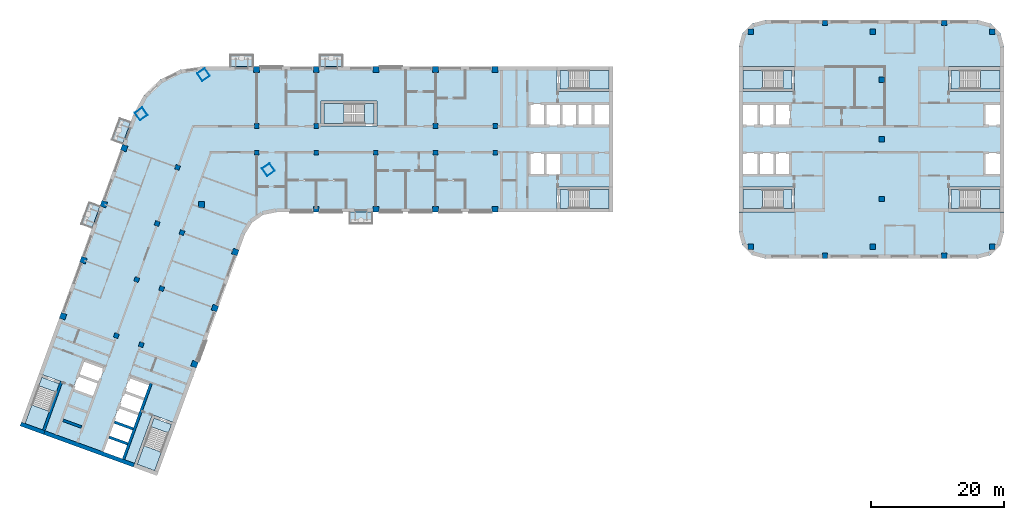
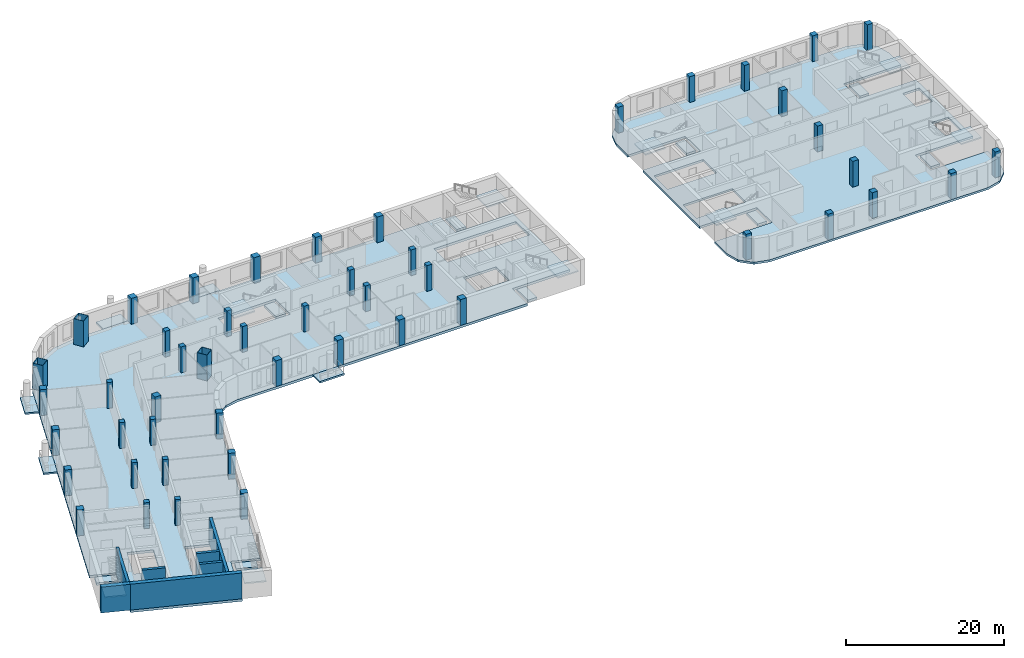
# One storey, part 1 of 15: 49 columns, 25 slabs, 7 walls, 9 elements without a shape of their own.
"""IFC4 building model written with IfcOpenShell, lengths in metres."""

from ifc_helpers import new_model, si_unit, direction, frame, frame_2d, origin, origin_2d, place, context, subcontext, project, spatial, polyline, rectangle, hollow_rectangle, outline, extrude, material, layer, layer_set, material_profile, profile_set, type_object, element, aggregate, save


model = new_model("IFC4")

# Units and contexts
model_context = context("Model", 3, precision=1e-05, world=origin(), true_north=direction((0.0, 1.0)))
body_context = subcontext(model_context, "Body", "Model", "MODEL_VIEW")
ifc_project = project(units=[si_unit("LENGTHUNIT", "METRE"), si_unit("AREAUNIT", "SQUARE_METRE"), si_unit("VOLUMEUNIT", "CUBIC_METRE"), si_unit("PLANEANGLEUNIT", "RADIAN"), si_unit("MASSUNIT", "GRAM", prefix="KILO")], contexts=[model_context])

# Site, building, storey
site_placement = place(None, origin())
site = spatial("IfcSite", under=ifc_project, at=site_placement, CompositionType="ELEMENT")
building_placement = place(site_placement, origin())
building = spatial("IfcBuilding", under=site, at=building_placement, Name="Skarvind Civic Tower", CompositionType="ELEMENT")
storey_placement = place(building_placement, frame((0.0, 0.0, 55.5)))
storey = spatial("IfcBuildingStorey", under=building, at=storey_placement, Name="L12", CompositionType="ELEMENT", Elevation=55.5)

# Columns
ifc_material_1 = material(Name="Concrete C60", Category="concrete")
ifc_material_profile_1 = material_profile(ifc_material_1, rectangle(XDim=0.699951171875, YDim=0.699951171875, at=origin_2d()), Name="RC-700x700")
ifc_profile_set_1 = profile_set([ifc_material_profile_1], Name="Concrete C60")
column_type_1 = type_object("IfcColumnType", Name="Column RC-700x700 C60", PredefinedType="COLUMN", material=ifc_profile_set_1)
for number, where, z_axis, x_axis, name in (
    (1, (54.25, 130.0, 0.0), (0.0, 0.0, 1.0), (1.0, 0.0, 0.0), "Column wing 1 north inner 02 L12"),
    (2, (63.25, 130.0, 0.0), (0.0, 0.0, 1.0), (1.0, 0.0, 0.0), "Column wing 1 north inner 03 L12"),
    (3, (81.25, 130.0, 0.0), (0.0, 0.0, 1.0), (1.0, 0.0, 0.0), "Column wing 1 north inner 05 L12"),
    (4, (90.25, 130.0, 0.0), (0.0, 0.0, 1.0), (1.0, 0.0, 0.0), "Column wing 1 north inner 06 L12"),
    (5, (54.25, 126.0, 0.0), (0.0, 0.0, 1.0), (1.0, 0.0, 0.0), "Column wing 1 south inner 02 L12"),
    (6, (63.25, 126.0, 0.0), (0.0, 0.0, 1.0), (1.0, 0.0, 0.0), "Column wing 1 south inner 03 L12"),
    (7, (72.25, 126.0, 0.0), (0.0, 0.0, 1.0), (1.0, 0.0, 0.0), "Column wing 1 south inner 04 L12"),
    (8, (81.25, 126.0, 0.0), (0.0, 0.0, 1.0), (1.0, 0.0, 0.0), "Column wing 1 south inner 05 L12"),
    (9, (90.25, 126.0, 0.0), (0.0, 0.0, 1.0), (1.0, 0.0, 0.0), "Column wing 1 south inner 06 L12"),
    (10, (43.005615234375, 113.92529296875, 0.0), (0.0, 0.0, 1.0), (-0.342020143326, -0.939692620786, 0.0), "Column wing 2 left inner 02 L12"),
    (11, (39.927490234375, 105.468017578125, 0.0), (0.0, 0.0, 1.0), (-0.342020143326, -0.939692620786, 0.0), "Column wing 2 left inner 03 L12"),
    (12, (36.84912109375, 97.010986328125, 0.0), (0.0, 0.0, 1.0), (-0.342020143326, -0.939692620786, 0.0), "Column wing 2 left inner 04 L12"),
    (13, (42.324951171875, 123.750732421875, 0.0), (0.0, 0.0, 1.0), (-0.342020143326, -0.939692620786, 0.0), "Column wing 2 right inner 01 L12"),
    (14, (39.246826171875, 115.29345703125, 0.0), (0.0, 0.0, 1.0), (-0.342020143326, -0.939692620786, 0.0), "Column wing 2 right inner 02 L12"),
    (15, (36.168701171875, 106.836181640625, 0.0), (0.0, 0.0, 1.0), (-0.342020143326, -0.939692620786, 0.0), "Column wing 2 right inner 03 L12"),
    (16, (33.090576171875, 98.37890625, 0.0), (0.0, 0.0, 1.0), (-0.342020143326, -0.939692620786, 0.0), "Column wing 2 right inner 04 L12"),
):
    element("IfcColumn", number, at=place(storey_placement, frame(where, z_axis=z_axis, x_axis=x_axis)), inside=storey, type_object=column_type_1, Name=name, PredefinedType="COLUMN", context=body_context, shape_type="SweptSolid", body=[
        extrude(rectangle(XDim=0.699951171875, YDim=0.699951171875, at=origin_2d()), origin(), (0.0, 0.0, 1.0), 4.0),
    ])
ifc_material_profile_2 = material_profile(ifc_material_1, rectangle(XDim=0.800048828125, YDim=0.800048828125, at=origin_2d()), Name="RC-800x800")
ifc_profile_set_2 = profile_set([ifc_material_profile_2], Name="Concrete C60")
column_type_2 = type_object("IfcColumnType", Name="Column RC-800x800 C60", PredefinedType="COLUMN", material=ifc_profile_set_2)
for number, where, z_axis, x_axis, name in (
    (17, (128.777099609375, 144.222900390625, 0.0), (0.0, 0.0, 1.0), (1.0, 0.0, 0.0), "Column second tower north-west corner L12"),
    (18, (128.777099609375, 111.777099609375, 0.0), (0.0, 0.0, 1.0), (1.0, 0.0, 0.0), "Column second tower south-west corner L12"),
    (19, (148.550048828125, 119.0, 0.0), (0.0, 0.0, 1.0), (1.0, 0.0, 0.0), "Column second tower middle line 01 L12"),
    (20, (148.550048828125, 128.0, 0.0), (0.0, 0.0, 1.0), (1.0, 0.0, 0.0), "Column second tower middle line 02 L12"),
    (21, (148.550048828125, 137.0, 0.0), (0.0, 0.0, 1.0), (1.0, 0.0, 0.0), "Column second tower middle line 03 L12"),
    (22, (140.0, 145.550048828125, 0.0), (0.0, 0.0, 1.0), (1.0, 0.0, 0.0), "Column second tower north perimeter 02 L12"),
    (23, (147.222900390625, 144.222900390625, 0.0), (0.0, 0.0, 1.0), (1.0, 0.0, 0.0), "Column second tower north perimeter 03 L12"),
    (24, (140.0, 110.449951171875, 0.0), (0.0, 0.0, 1.0), (1.0, 0.0, 0.0), "Column second tower south perimeter 02 L12"),
    (25, (147.222900390625, 111.777099609375, 0.0), (0.0, 0.0, 1.0), (1.0, 0.0, 0.0), "Column second tower south perimeter 03 L12"),
    (26, (165.222900390625, 144.222900390625, 0.0), (0.0, 0.0, 1.0), (1.0, 0.0, 0.0), "Column second tower north-east corner L12"),
    (27, (165.222900390625, 111.777099609375, 0.0), (0.0, 0.0, 1.0), (1.0, 0.0, 0.0), "Column second tower south-east corner L12"),
    (28, (158.0, 145.550048828125, 0.0), (0.0, 0.0, 1.0), (1.0, 0.0, 0.0), "Column second tower north perimeter 04 L12"),
    (29, (158.0, 110.449951171875, 0.0), (0.0, 0.0, 1.0), (1.0, 0.0, 0.0), "Column second tower south perimeter 04 L12"),
):
    element("IfcColumn", number, at=place(storey_placement, frame(where, z_axis=z_axis, x_axis=x_axis)), inside=storey, type_object=column_type_2, Name=name, PredefinedType="COLUMN", context=body_context, shape_type="SweptSolid", body=[
        extrude(rectangle(XDim=0.800048828125, YDim=0.800048828125, at=origin_2d()), origin(), (0.0, 0.0, 1.0), 4.0),
    ])
ifc_material_2 = material(Name="Concrete C80", Category="concrete")
ifc_material_profile_3 = material_profile(ifc_material_2, rectangle(XDim=0.89990234375, YDim=0.89990234375, at=origin_2d()), Name="RC-900x900")
ifc_profile_set_3 = profile_set([ifc_material_profile_3], Name="Concrete C80")
column_type_3 = type_object("IfcColumnType", Name="Column RC-900x900 C80", PredefinedType="COLUMN", material=ifc_profile_set_3)
for number, where, z_axis, x_axis, name in (
    (30, (54.25, 138.550048828125, 0.0), (0.0, 0.0, 1.0), (1.0, 0.0, 0.0), "Column wing 1 north perimeter 02 L12"),
    (31, (63.25, 138.550048828125, 0.0), (0.0, 0.0, 1.0), (1.0, 0.0, 0.0), "Column wing 1 north perimeter 03 L12"),
    (32, (72.25, 138.550048828125, 0.0), (0.0, 0.0, 1.0), (1.0, 0.0, 0.0), "Column wing 1 north perimeter 04 L12"),
    (33, (81.25, 138.550048828125, 0.0), (0.0, 0.0, 1.0), (1.0, 0.0, 0.0), "Column wing 1 north perimeter 05 L12"),
    (34, (90.25, 138.550048828125, 0.0), (0.0, 0.0, 1.0), (1.0, 0.0, 0.0), "Column wing 1 north perimeter 06 L12"),
    (35, (45.95166015625, 118.151611328125, 0.0), (0.0, 0.0, 1.0), (1.0, 0.0, 0.0), "Column wing 1 south perimeter 01 L12"),
    (36, (63.25, 117.449951171875, 0.0), (0.0, 0.0, 1.0), (1.0, 0.0, 0.0), "Column wing 1 south perimeter 03 L12"),
    (37, (72.25, 117.449951171875, 0.0), (0.0, 0.0, 1.0), (1.0, 0.0, 0.0), "Column wing 1 south perimeter 04 L12"),
    (38, (81.25, 117.449951171875, 0.0), (0.0, 0.0, 1.0), (1.0, 0.0, 0.0), "Column wing 1 south perimeter 05 L12"),
    (39, (90.25, 117.449951171875, 0.0), (0.0, 0.0, 1.0), (1.0, 0.0, 0.0), "Column wing 1 south perimeter 06 L12"),
    (40, (51.0400390625, 111.0009765625, 0.0), (0.0, 0.0, 1.0), (-0.342020143326, -0.939692620786, 0.0), "Column wing 2 left perimeter 02 L12"),
    (41, (47.961669921875, 102.5439453125, 0.0), (0.0, 0.0, 1.0), (-0.342020143326, -0.939692620786, 0.0), "Column wing 2 left perimeter 03 L12"),
    (42, (44.883544921875, 94.086669921875, 0.0), (0.0, 0.0, 1.0), (-0.342020143326, -0.939692620786, 0.0), "Column wing 2 left perimeter 04 L12"),
    (43, (34.29052734375, 126.6748046875, 0.0), (0.0, 0.0, 1.0), (-0.342020143326, -0.939692620786, 0.0), "Column wing 2 right perimeter 01 L12"),
    (44, (31.21240234375, 118.2177734375, 0.0), (0.0, 0.0, 1.0), (-0.342020143326, -0.939692620786, 0.0), "Column wing 2 right perimeter 02 L12"),
    (45, (28.13427734375, 109.760498046875, 0.0), (0.0, 0.0, 1.0), (-0.342020143326, -0.939692620786, 0.0), "Column wing 2 right perimeter 03 L12"),
    (46, (25.05615234375, 101.30322265625, 0.0), (0.0, 0.0, 1.0), (-0.342020143326, -0.939692620786, 0.0), "Column wing 2 right perimeter 04 L12"),
):
    element("IfcColumn", number, at=place(storey_placement, frame(where, z_axis=z_axis, x_axis=x_axis)), inside=storey, type_object=column_type_3, Name=name, PredefinedType="COLUMN", context=body_context, shape_type="SweptSolid", body=[
        extrude(rectangle(XDim=0.89990234375, YDim=0.89990234375, at=origin_2d()), origin(), (0.0, 0.0, 1.0), 4.0),
    ])
ifc_material_3 = material(Name="Composite concrete-filled steel tube, Steel SM355 with Concrete C80", Category="concrete")
ifc_material_profile_4 = material_profile(ifc_material_3, hollow_rectangle(XDim=1.39990234375, YDim=1.39990234375, WallThickness=0.0400390625, at=origin_2d()), Name="BOX-1400x1400x40")
ifc_profile_set_4 = profile_set([ifc_material_profile_4], Name="Composite concrete-filled steel tube, Steel SM355 with Concrete C80")
column_type_4 = type_object("IfcColumnType", Name="Mega column BOX-1400x1400x40 filled C80", PredefinedType="COLUMN", material=ifc_profile_set_4)
for number, where, z_axis, x_axis, name in (
    (47, (36.845947265625, 131.837646484375, 0.0), (0.0, 0.0, 1.0), (0.573576436351, -0.819152044289, 0.0), "Mega column 1 L12"),
    (48, (46.2470703125, 137.762451171875, 0.0), (0.0, 0.0, 1.0), (0.573576436351, -0.819152044289, 0.0), "Mega column 2 L12"),
    (49, (56.0361328125, 123.43017578125, 0.0), (0.0, 0.0, 1.0), (0.573576436351, -0.819152044289, 0.0), "Mega column 4 L12"),
):
    element("IfcColumn", number, at=place(storey_placement, frame(where, z_axis=z_axis, x_axis=x_axis)), inside=storey, type_object=column_type_4, Name=name, PredefinedType="COLUMN", context=body_context, shape_type="SweptSolid", body=[
        extrude(hollow_rectangle(XDim=1.39990234375, YDim=1.39990234375, WallThickness=0.0400390625, at=origin_2d()), origin(), (0.0, 0.0, 1.0), 4.0),
    ])

# Slabs
ifc_material_4 = material(Name="Concrete C50", Category="concrete")
ifc_layer_1 = layer(ifc_material_4, 0.375)
ifc_layer_set_1 = layer_set([ifc_layer_1], Name="Floor slab 375 C50")
slab_type_1 = type_object("IfcSlabType", Name="Floor slab 375 C50", PredefinedType="FLOOR", material=ifc_layer_set_1)
slab_1_placement = place(storey_placement, frame((0.0, 0.0, -0.375)))
element("IfcSlab", 50, at=slab_1_placement, inside=storey, type_object=slab_type_1, Name="Floor slab L12 1", PredefinedType="FLOOR", context=body_context, shape_type="SweptSolid", body=[
    extrude(outline(polyline([(99.60009765625, 117.0), (99.60009765625, 120.800048828125), (108.0, 120.800048828125), (108.0, 135.199951171875), (99.60009765625, 135.199951171875), (99.60009765625, 139.0), (46.095458984375, 139.0), (42.739501953125, 138.5009765625), (39.6943359375, 137.005615234375), (37.24755859375, 134.6552734375), (35.630615234375, 131.672607421875), (19.41748046875, 87.126708984375), (21.435302734375, 92.6708984375), (25.006103515625, 91.371337890625), (22.13330078125, 83.477783203125), (36.886474609375, 78.108154296875), (35.664794921875, 78.552734375), (38.53759765625, 86.4462890625), (42.108642578125, 85.146484375), (40.0908203125, 79.602294921875), (40.0908203125, 79.602294921875), (52.493896484375, 113.68017578125), (53.560791015625, 115.421630859375), (55.23388671875, 116.593017578125), (57.235107421875, 117.0), (99.60009765625, 117.0)]), holes=[polyline([(32.625244140625, 85.40576171875), (33.446044921875, 87.660888671875), (34.26708984375, 89.916259765625), (35.087890625, 92.17138671875), (38.28271484375, 91.008544921875), (37.4619140625, 88.75341796875), (36.64111328125, 86.498046875), (35.8203125, 84.242919921875), (35.8203125, 84.242919921875), (34.99951171875, 81.987548828125), (34.178466796875, 79.732421875), (30.983642578125, 80.89501953125), (31.804443359375, 83.150390625), (32.625244140625, 85.40576171875), (32.625244140625, 85.40576171875)]), polyline([(31.3291015625, 93.53955078125), (30.50830078125, 91.2841796875), (29.6875, 89.029052734375), (26.492431640625, 90.19189453125), (27.313232421875, 92.447021484375), (28.134033203125, 94.702392578125), (31.3291015625, 93.53955078125)]), polyline([(64.0, 130.0), (64.0, 133.800048828125), (72.39990234375, 133.800048828125), (72.39990234375, 130.0), (64.0, 130.0)]), polyline([(100.199951171875, 126.0), (100.199951171875, 122.60009765625), (97.800048828125, 122.60009765625), (95.39990234375, 122.60009765625), (95.39990234375, 126.0), (97.800048828125, 126.0), (100.199951171875, 126.0)]), polyline([(100.199951171875, 133.39990234375), (102.60009765625, 133.39990234375), (105.0, 133.39990234375), (107.39990234375, 133.39990234375), (107.39990234375, 130.0), (105.0, 130.0), (102.60009765625, 130.0), (100.199951171875, 130.0), (97.800048828125, 130.0), (95.39990234375, 130.0), (95.39990234375, 133.39990234375), (97.800048828125, 133.39990234375), (100.199951171875, 133.39990234375)])]), origin(), (0.0, 0.0, 1.0), 0.375),
])
ifc_material_5 = material(Name="Precast concrete C40/50", Category="concrete")
ifc_layer_2 = layer(ifc_material_5, 0.25)
ifc_layer_set_2 = layer_set([ifc_layer_2], Name="SX3 BALCONY SLAB 250")
slab_type_2 = type_object("IfcSlabType", Name="SX3 BALCONY SLAB 250", PredefinedType="FLOOR", material=ifc_layer_set_2)
slab_2_placement = place(storey_placement, frame((0.0, 0.0, -0.25)))
element("IfcSlab", 51, at=slab_2_placement, inside=storey, type_object=slab_type_2, Name="TREE BALCONY SLAB", PredefinedType="FLOOR", context=body_context, shape_type="SweptSolid", body=[
    extrude(outline(polyline([(71.800048828125, 117.0), (68.199951171875, 117.0), (68.199951171875, 115.199951171875), (71.800048828125, 115.199951171875), (71.800048828125, 117.0)])), origin(), (0.0, 0.0, 1.0), 0.25),
])
slab_3_placement = place(storey_placement, frame((0.0, 0.0, -0.25)))
element("IfcSlab", 52, at=slab_3_placement, inside=storey, type_object=slab_type_2, Name="TREE BALCONY SLAB", PredefinedType="FLOOR", context=body_context, shape_type="SweptSolid", body=[
    extrude(outline(polyline([(50.199951171875, 139.0), (53.800048828125, 139.0), (53.800048828125, 140.800048828125), (50.199951171875, 140.800048828125), (50.199951171875, 139.0)])), origin(), (0.0, 0.0, 1.0), 0.25),
])
slab_4_placement = place(storey_placement, frame((0.0, 0.0, -0.25)))
element("IfcSlab", 53, at=slab_4_placement, inside=storey, type_object=slab_type_2, Name="TREE BALCONY SLAB", PredefinedType="FLOOR", context=body_context, shape_type="SweptSolid", body=[
    extrude(outline(polyline([(63.699951171875, 139.0), (67.300048828125, 139.0), (67.300048828125, 140.800048828125), (63.699951171875, 140.800048828125), (63.699951171875, 139.0)])), origin(), (0.0, 0.0, 1.0), 0.25),
])
slab_5_placement = place(storey_placement, frame((0.0, 0.0, -0.25)))
element("IfcSlab", 54, at=slab_5_placement, inside=storey, type_object=slab_type_2, Name="TREE BALCONY SLAB", PredefinedType="FLOOR", context=body_context, shape_type="SweptSolid", body=[
    extrude(outline(polyline([(29.404296875, 114.56591796875), (30.6357421875, 117.94873046875), (28.9443359375, 118.564453125), (27.712890625, 115.181396484375), (29.404296875, 114.56591796875)])), origin(), (0.0, 0.0, 1.0), 0.25),
])
slab_6_placement = place(storey_placement, frame((0.0, 0.0, -0.25)))
element("IfcSlab", 55, at=slab_6_placement, inside=storey, type_object=slab_type_2, Name="TREE BALCONY SLAB", PredefinedType="FLOOR", context=body_context, shape_type="SweptSolid", body=[
    extrude(outline(polyline([(34.021728515625, 127.251708984375), (35.2529296875, 130.634521484375), (33.5615234375, 131.250244140625), (32.330322265625, 127.867431640625), (34.021728515625, 127.251708984375)])), origin(), (0.0, 0.0, 1.0), 0.25),
])
ifc_layer_3 = layer(ifc_material_4, 0.324951171875)
ifc_layer_set_3 = layer_set([ifc_layer_3], Name="Second tower floor slab 325 C50")
slab_type_3 = type_object("IfcSlabType", Name="Second tower floor slab 325 C50", PredefinedType="FLOOR", material=ifc_layer_set_3)
slab_7_placement = place(storey_placement, frame((0.0, 0.0, -0.324951171875)))
element("IfcSlab", 56, at=slab_7_placement, inside=storey, type_object=slab_type_3, Name="Floor slab L12 1", PredefinedType="FLOOR", context=body_context, shape_type="SweptSolid", body=[
    extrude(outline(polyline([(127.0, 139.0), (135.39990234375, 139.0), (135.39990234375, 135.199951171875), (127.0, 135.199951171875), (127.0, 120.800048828125), (135.39990234375, 120.800048828125), (135.39990234375, 117.0), (127.0, 117.0), (127.0, 114.0), (127.535888671875, 112.0), (129.0, 110.535888671875), (131.0, 110.0), (163.0, 110.0), (165.0, 110.535888671875), (166.464111328125, 112.0), (167.0, 114.0), (167.0, 117.0), (158.60009765625, 117.0), (158.60009765625, 120.800048828125), (167.0, 120.800048828125), (167.0, 135.199951171875), (158.60009765625, 135.199951171875), (158.60009765625, 139.0), (167.0, 139.0), (167.0, 142.0), (166.464111328125, 144.0), (165.0, 145.464111328125), (163.0, 146.0), (131.0, 146.0), (129.0, 145.464111328125), (127.535888671875, 144.0), (127.0, 142.0), (127.0, 139.0)]), holes=[polyline([(132.39990234375, 126.0), (134.800048828125, 126.0), (134.800048828125, 122.60009765625), (132.39990234375, 122.60009765625), (130.0, 122.60009765625), (127.60009765625, 122.60009765625), (127.60009765625, 126.0), (130.0, 126.0), (132.39990234375, 126.0)]), polyline([(130.0, 133.39990234375), (132.39990234375, 133.39990234375), (134.800048828125, 133.39990234375), (134.800048828125, 130.0), (132.39990234375, 130.0), (130.0, 130.0), (127.60009765625, 130.0), (127.60009765625, 133.39990234375), (130.0, 133.39990234375)]), polyline([(166.39990234375, 126.0), (166.39990234375, 122.60009765625), (164.0, 122.60009765625), (164.0, 126.0), (166.39990234375, 126.0)]), polyline([(166.39990234375, 133.39990234375), (166.39990234375, 130.0), (164.0, 130.0), (164.0, 133.39990234375), (166.39990234375, 133.39990234375)])]), origin(), (0.0, 0.0, 1.0), 0.324951171875),
])
ifc_material_6 = material(Name="Concrete C40/50", Category="concrete")
ifc_layer_4 = layer(ifc_material_6, 0.375)
ifc_layer_set_4 = layer_set([ifc_layer_4], Name="Stair floor landing slab 375")
slab_type_4 = type_object("IfcSlabType", Name="Stair floor landing slab 375", PredefinedType="LANDING", material=ifc_layer_set_4)
slab_8_placement = place(storey_placement, frame((0.0, 0.0, -0.375)))
element("IfcSlab", 57, at=slab_8_placement, inside=storey, type_object=slab_type_4, Name="Stair floor landing", PredefinedType="LANDING", context=body_context, shape_type="SweptSolid", body=[
    extrude(outline(polyline([(101.3505859375, 138.400634765625), (101.3505859375, 135.599365234375), (99.99951171875, 135.599365234375), (99.99951171875, 138.400634765625), (101.3505859375, 138.400634765625)])), origin(), (0.0, 0.0, 1.0), 0.375),
])
slab_9_placement = place(storey_placement, frame((0.0, 0.0, -0.375)))
element("IfcSlab", 58, at=slab_9_placement, inside=storey, type_object=slab_type_4, Name="Stair floor landing", PredefinedType="LANDING", context=body_context, shape_type="SweptSolid", body=[
    extrude(outline(polyline([(101.3505859375, 120.400634765625), (101.3505859375, 117.599365234375), (99.99951171875, 117.599365234375), (99.99951171875, 120.400634765625), (101.3505859375, 120.400634765625)])), origin(), (0.0, 0.0, 1.0), 0.375),
])
slab_10_placement = place(storey_placement, frame((0.0, 0.0, -0.375)))
element("IfcSlab", 59, at=slab_10_placement, inside=storey, type_object=slab_type_4, Name="Stair floor landing", PredefinedType="LANDING", context=body_context, shape_type="SweptSolid", body=[
    extrude(outline(polyline([(40.946533203125, 83.70654296875), (38.314208984375, 84.66455078125), (38.7763671875, 85.934326171875), (41.40869140625, 84.976318359375), (40.946533203125, 83.70654296875)])), origin(), (0.0, 0.0, 1.0), 0.375),
])
slab_11_placement = place(storey_placement, frame((0.0, 0.0, -0.375)))
element("IfcSlab", 60, at=slab_11_placement, inside=storey, type_object=slab_type_4, Name="Stair floor landing", PredefinedType="LANDING", context=body_context, shape_type="SweptSolid", body=[
    extrude(outline(polyline([(24.0322265625, 89.863037109375), (21.39990234375, 90.821044921875), (21.862060546875, 92.090576171875), (24.494384765625, 91.132568359375), (24.0322265625, 89.863037109375)])), origin(), (0.0, 0.0, 1.0), 0.375),
])
slab_12_placement = place(storey_placement, frame((0.0, 0.0, -0.375)))
element("IfcSlab", 61, at=slab_12_placement, inside=storey, type_object=slab_type_4, Name="Stair floor landing", PredefinedType="LANDING", context=body_context, shape_type="SweptSolid", body=[
    extrude(outline(polyline([(133.6494140625, 117.599365234375), (133.6494140625, 120.400634765625), (135.00048828125, 120.400634765625), (135.00048828125, 117.599365234375), (133.6494140625, 117.599365234375)])), origin(), (0.0, 0.0, 1.0), 0.375),
])
slab_13_placement = place(storey_placement, frame((0.0, 0.0, -0.375)))
element("IfcSlab", 62, at=slab_13_placement, inside=storey, type_object=slab_type_4, Name="Stair floor landing", PredefinedType="LANDING", context=body_context, shape_type="SweptSolid", body=[
    extrude(outline(polyline([(133.6494140625, 135.599365234375), (133.6494140625, 138.400634765625), (135.00048828125, 138.400634765625), (135.00048828125, 135.599365234375), (133.6494140625, 135.599365234375)])), origin(), (0.0, 0.0, 1.0), 0.375),
])
slab_14_placement = place(storey_placement, frame((0.0, 0.0, -0.375)))
element("IfcSlab", 63, at=slab_14_placement, inside=storey, type_object=slab_type_4, Name="Stair floor landing", PredefinedType="LANDING", context=body_context, shape_type="SweptSolid", body=[
    extrude(outline(polyline([(160.3505859375, 138.400634765625), (160.3505859375, 135.599365234375), (158.99951171875, 135.599365234375), (158.99951171875, 138.400634765625), (160.3505859375, 138.400634765625)])), origin(), (0.0, 0.0, 1.0), 0.375),
])
slab_15_placement = place(storey_placement, frame((0.0, 0.0, -0.375)))
element("IfcSlab", 64, at=slab_15_placement, inside=storey, type_object=slab_type_4, Name="Stair floor landing", PredefinedType="LANDING", context=body_context, shape_type="SweptSolid", body=[
    extrude(outline(polyline([(160.3505859375, 120.400634765625), (160.3505859375, 117.599365234375), (158.99951171875, 117.599365234375), (158.99951171875, 120.400634765625), (160.3505859375, 120.400634765625)])), origin(), (0.0, 0.0, 1.0), 0.375),
])
slab_16_placement = place(storey_placement, frame((0.0, 0.0, -0.375)))
element("IfcSlab", 65, at=slab_16_placement, inside=storey, type_object=slab_type_4, Name="Stair floor landing", PredefinedType="LANDING", context=body_context, shape_type="SweptSolid", body=[
    extrude(outline(polyline([(70.54931640625, 130.3994140625), (70.54931640625, 133.400634765625), (72.00048828125, 133.400634765625), (72.00048828125, 130.3994140625), (70.54931640625, 130.3994140625)])), origin(), (0.0, 0.0, 1.0), 0.375),
])

# Stair, slab
stair_type_1 = type_object("IfcStairType", Name="Exit stair, half-turn, concrete", PredefinedType="HALF_TURN_STAIR", material=ifc_material_6)
stair_1_placement = place(storey_placement, origin())
stair_1 = element("IfcStair", 66, at=stair_1_placement, inside=storey, type_object=stair_type_1, Name="Exit stair C1S", PredefinedType="HALF_TURN_STAIR")
ifc_layer_5 = layer(ifc_material_6, 0.199951171875)
ifc_layer_set_5 = layer_set([ifc_layer_5], Name="Stair half landing slab")
slab_type_5 = type_object("IfcSlabType", Name="Stair half landing slab", PredefinedType="LANDING", material=ifc_layer_set_5)
slab_17_placement = place(storey_placement, frame((0.0, 0.0, 1.800048828125)))
slab_17 = element("IfcSlab", 67, at=slab_17_placement, type_object=slab_type_5, Name="ST-C1S landing 1", PredefinedType="LANDING", context=body_context, shape_type="SweptSolid", body=[
    extrude(outline(polyline([(104.429443359375, 135.599365234375), (104.429443359375, 138.400634765625), (107.400634765625, 138.400634765625), (107.400634765625, 135.599365234375), (104.429443359375, 135.599365234375)])), origin(), (0.0, 0.0, 1.0), 0.199951171875),
])
aggregate(stair_1, [slab_17])

stair_2_placement = place(storey_placement, origin())
stair_2 = element("IfcStair", 68, at=stair_2_placement, inside=storey, type_object=stair_type_1, Name="Exit stair C1N", PredefinedType="HALF_TURN_STAIR")
slab_18_placement = place(storey_placement, frame((0.0, 0.0, 1.800048828125)))
slab_18 = element("IfcSlab", 69, at=slab_18_placement, type_object=slab_type_5, Name="ST-C1N landing 1", PredefinedType="LANDING", context=body_context, shape_type="SweptSolid", body=[
    extrude(outline(polyline([(104.429443359375, 117.599365234375), (104.429443359375, 120.400634765625), (107.400634765625, 120.400634765625), (107.400634765625, 117.599365234375), (104.429443359375, 117.599365234375)])), origin(), (0.0, 0.0, 1.0), 0.199951171875),
])
aggregate(stair_2, [slab_18])

stair_3_placement = place(storey_placement, origin())
stair_3 = element("IfcStair", 70, at=stair_3_placement, inside=storey, type_object=stair_type_1, Name="Exit stair C2S", PredefinedType="HALF_TURN_STAIR")
slab_19_placement = place(storey_placement, frame((0.0, 0.0, 1.800048828125)))
slab_19 = element("IfcSlab", 71, at=slab_19_placement, type_object=slab_type_5, Name="ST-C2S landing 1", PredefinedType="LANDING", context=body_context, shape_type="SweptSolid", body=[
    extrude(outline(polyline([(37.26123046875, 81.771484375), (39.8935546875, 80.8134765625), (38.87744140625, 78.021484375), (36.2451171875, 78.9794921875), (37.26123046875, 81.771484375)])), origin(), (0.0, 0.0, 1.0), 0.199951171875),
])
aggregate(stair_3, [slab_19])

stair_4_placement = place(storey_placement, origin())
stair_4 = element("IfcStair", 72, at=stair_4_placement, inside=storey, type_object=stair_type_1, Name="Exit stair C2N", PredefinedType="HALF_TURN_STAIR")
slab_20_placement = place(storey_placement, frame((0.0, 0.0, 1.800048828125)))
slab_20 = element("IfcSlab", 73, at=slab_20_placement, type_object=slab_type_5, Name="ST-C2N landing 1", PredefinedType="LANDING", context=body_context, shape_type="SweptSolid", body=[
    extrude(outline(polyline([(20.346923828125, 87.927734375), (22.97900390625, 86.9697265625), (21.962890625, 84.177734375), (19.33056640625, 85.1357421875), (20.346923828125, 87.927734375)])), origin(), (0.0, 0.0, 1.0), 0.199951171875),
])
aggregate(stair_4, [slab_20])

stair_5_placement = place(storey_placement, origin())
stair_5 = element("IfcStair", 74, at=stair_5_placement, inside=storey, type_object=stair_type_1, Name="Exit stair CAS", PredefinedType="HALF_TURN_STAIR")
slab_21_placement = place(storey_placement, frame((0.0, 0.0, 1.800048828125)))
slab_21 = element("IfcSlab", 75, at=slab_21_placement, type_object=slab_type_5, Name="ST-CAS landing 1", PredefinedType="LANDING", context=body_context, shape_type="SweptSolid", body=[
    extrude(outline(polyline([(130.570556640625, 120.400634765625), (130.570556640625, 117.599365234375), (127.599365234375, 117.599365234375), (127.599365234375, 120.400634765625), (130.570556640625, 120.400634765625)])), origin(), (0.0, 0.0, 1.0), 0.199951171875),
])
aggregate(stair_5, [slab_21])

stair_6_placement = place(storey_placement, origin())
stair_6 = element("IfcStair", 76, at=stair_6_placement, inside=storey, type_object=stair_type_1, Name="Exit stair CAN", PredefinedType="HALF_TURN_STAIR")
slab_22_placement = place(storey_placement, frame((0.0, 0.0, 1.800048828125)))
slab_22 = element("IfcSlab", 77, at=slab_22_placement, type_object=slab_type_5, Name="ST-CAN landing 1", PredefinedType="LANDING", context=body_context, shape_type="SweptSolid", body=[
    extrude(outline(polyline([(130.570556640625, 138.400634765625), (130.570556640625, 135.599365234375), (127.599365234375, 135.599365234375), (127.599365234375, 138.400634765625), (130.570556640625, 138.400634765625)])), origin(), (0.0, 0.0, 1.0), 0.199951171875),
])
aggregate(stair_6, [slab_22])

stair_7_placement = place(storey_placement, origin())
stair_7 = element("IfcStair", 78, at=stair_7_placement, inside=storey, type_object=stair_type_1, Name="Exit stair CBS", PredefinedType="HALF_TURN_STAIR")
slab_23_placement = place(storey_placement, frame((0.0, 0.0, 1.800048828125)))
slab_23 = element("IfcSlab", 79, at=slab_23_placement, type_object=slab_type_5, Name="ST-CBS landing 1", PredefinedType="LANDING", context=body_context, shape_type="SweptSolid", body=[
    extrude(outline(polyline([(163.429443359375, 135.599365234375), (163.429443359375, 138.400634765625), (166.400634765625, 138.400634765625), (166.400634765625, 135.599365234375), (163.429443359375, 135.599365234375)])), origin(), (0.0, 0.0, 1.0), 0.199951171875),
])
aggregate(stair_7, [slab_23])

stair_8_placement = place(storey_placement, origin())
stair_8 = element("IfcStair", 80, at=stair_8_placement, inside=storey, type_object=stair_type_1, Name="Exit stair CBN", PredefinedType="HALF_TURN_STAIR")
slab_24_placement = place(storey_placement, frame((0.0, 0.0, 1.800048828125)))
slab_24 = element("IfcSlab", 81, at=slab_24_placement, type_object=slab_type_5, Name="ST-CBN landing 1", PredefinedType="LANDING", context=body_context, shape_type="SweptSolid", body=[
    extrude(outline(polyline([(163.429443359375, 117.599365234375), (163.429443359375, 120.400634765625), (166.400634765625, 120.400634765625), (166.400634765625, 117.599365234375), (163.429443359375, 117.599365234375)])), origin(), (0.0, 0.0, 1.0), 0.199951171875),
])
aggregate(stair_8, [slab_24])

stair_type_2 = type_object("IfcStairType", Name="Exit stair 1450, half-turn, concrete", PredefinedType="HALF_TURN_STAIR", material=ifc_material_6)
stair_9_placement = place(storey_placement, origin())
stair_9 = element("IfcStair", 82, at=stair_9_placement, inside=storey, type_object=stair_type_2, Name="Exit stair CM", PredefinedType="HALF_TURN_STAIR")
slab_25_placement = place(storey_placement, frame((0.0, 0.0, 1.800048828125)))
slab_25 = element("IfcSlab", 83, at=slab_25_placement, type_object=slab_type_5, Name="ST-CM landing 1", PredefinedType="LANDING", context=body_context, shape_type="SweptSolid", body=[
    extrude(outline(polyline([(67.470703125, 133.400634765625), (67.470703125, 130.3994140625), (64.3994140625, 130.3994140625), (64.3994140625, 133.400634765625), (67.470703125, 133.400634765625)])), origin(), (0.0, 0.0, 1.0), 0.199951171875),
])
aggregate(stair_9, [slab_25])

# Walls
ifc_layer_6 = layer(ifc_material_2, 0.39990234375)
ifc_layer_set_6 = layer_set([ifc_layer_6], Name="Core wall 400 C80")
wall_type_1 = type_object("IfcWallType", Name="Core wall 400 C80", PredefinedType="SHEAR", material=ifc_layer_set_6)
wall_1_placement = place(storey_placement, frame((22.150390625, 84.110107421875, 0.0), z_axis=(0.0, 0.0, 1.0), x_axis=(0.342016982193, 0.939693771338, 0.0)))
element("IfcWall", 84, at=wall_1_placement, inside=storey, type_object=wall_type_1, Name="Core wall C2 north stair inner L12", PredefinedType="SHEAR", context=body_context, shape_type="SweptSolid", body=[
    extrude(rectangle(XDim=7.800048828125, YDim=0.39990234375, at=frame_2d((3.89990234375, 0.0))), origin(), (0.0, 0.0, 1.0), 4.0),
])
wall_2_placement = place(storey_placement, frame((34.178466796875, 79.732177734375, 0.0), z_axis=(0.0, 0.0, 1.0), x_axis=(0.342014590177, 0.939694641948, 0.0)))
element("IfcWall", 85, at=wall_2_placement, inside=storey, type_object=wall_type_1, Name="Core wall C2 south lift row back L12", PredefinedType="SHEAR", context=body_context, shape_type="SweptSolid", body=[
    extrude(rectangle(XDim=12.2001953125, YDim=0.39990234375, at=frame_2d((6.10009765625, 0.0))), origin(), (0.0, 0.0, 1.0), 4.0),
])
for number, where, z_axis, x_axis, name in (
    (86, (34.8115234375, 82.055908203125, 0.0), (0.0, 0.0, 1.0), (-0.939686455819, 0.342037080957, 0.0), "Core wall C2 south lift row division 1 L12"),
    (87, (35.63232421875, 84.311279296875, 0.0), (0.0, 0.0, 1.0), (-0.939712609717, 0.341965219194, 0.0), "Core wall C2 south lift row division 2 L12"),
    (88, (27.857666015625, 84.5869140625, 0.0), (0.0, 0.0, 1.0), (-0.939686455819, 0.342037080957, 0.0), "Core wall C2 north lift row division 1 L12"),
):
    element("IfcWall", number, at=place(storey_placement, frame(where, z_axis=z_axis, x_axis=x_axis)), inside=storey, type_object=wall_type_1, Name=name, PredefinedType="SHEAR", context=body_context, shape_type="SweptSolid", body=[
        extrude(rectangle(XDim=3.0, YDim=0.39990234375, at=frame_2d((1.5, 0.0))), origin(), (0.0, 0.0, 1.0), 4.0),
    ])
ifc_layer_7 = layer(ifc_material_2, 0.60009765625)
ifc_layer_set_7 = layer_set([ifc_layer_7], Name="Core wall 600 C80")
wall_type_2 = type_object("IfcWallType", Name="Core wall 600 C80", PredefinedType="SHEAR", material=ifc_layer_set_7)
wall_3_placement = place(storey_placement, frame((35.767333984375, 78.834716796875, 0.0), z_axis=(0.0, 0.0, 1.0), x_axis=(-0.939692894512, 0.342019391267, 0.0)))
element("IfcWall", 89, at=wall_3_placement, inside=storey, type_object=wall_type_2, Name="Core wall C2 tip between the stairs L12", PredefinedType="SHEAR", context=body_context, shape_type="SweptSolid", body=[
    extrude(rectangle(XDim=14.39990234375, YDim=0.60009765625, at=frame_2d((7.199951171875, 0.0))), origin(), (0.0, 0.0, 1.0), 4.0),
])
wall_4_placement = place(storey_placement, frame((22.23583984375, 83.759765625, 0.0), z_axis=(0.0, 0.0, 1.0), x_axis=(-0.939680822529, 0.342052557032, 0.0)))
element("IfcWall", 90, at=wall_4_placement, inside=storey, type_object=wall_type_2, Name="Core wall C2 tip at the north stair L12", PredefinedType="SHEAR", context=body_context, shape_type="SweptSolid", body=[
    extrude(rectangle(XDim=3.800048828125, YDim=0.60009765625, at=frame_2d((1.89990234375, 0.0))), origin(), (0.0, 0.0, 1.0), 4.0),
])

save(model, "model.ifc")
